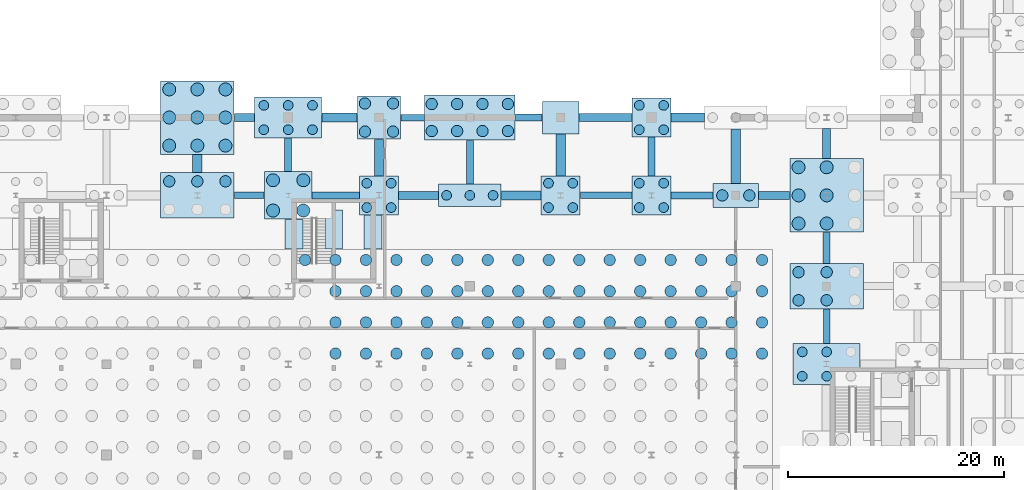
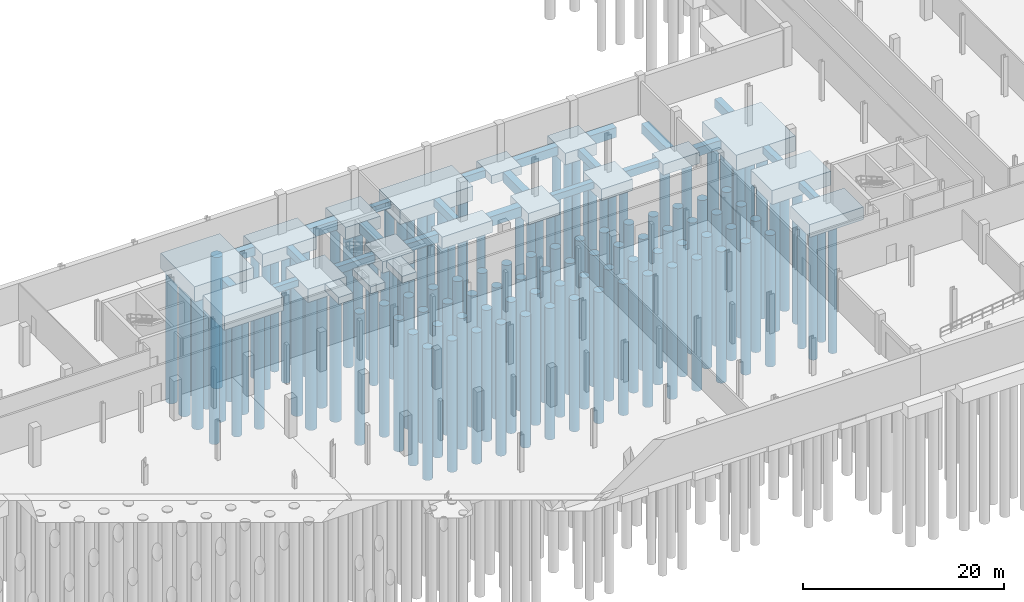
# One storey, part 5 of 32: 130 piles, 42 footings.
"""IFC4 building model written with IfcOpenShell, lengths in metres."""

from ifc_helpers import new_model, si_unit, direction, frame, origin_with_axes, origin_2d_with_axis, place, context, subcontext, project, spatial, rectangle, circle, extrude, material, material_profile, profile_set, type_object, element, save


model = new_model("IFC4")

# Units and contexts
model_context = context("Model", 3, precision=1e-05, world=origin_with_axes(), true_north=direction((0.0, 1.0)))
body_context = subcontext(model_context, "Body", "Model", "MODEL_VIEW")
ifc_project = project(units=[si_unit("LENGTHUNIT", "METRE"), si_unit("AREAUNIT", "SQUARE_METRE"), si_unit("VOLUMEUNIT", "CUBIC_METRE"), si_unit("PLANEANGLEUNIT", "RADIAN"), si_unit("MASSUNIT", "GRAM", prefix="KILO"), si_unit("THERMODYNAMICTEMPERATUREUNIT", "KELVIN")], contexts=[model_context])

# Site, building, storey
site_placement = place(None, origin_with_axes())
site = spatial("IfcSite", under=ifc_project, at=site_placement, CompositionType="ELEMENT")
building_placement = place(site_placement, origin_with_axes())
building = spatial("IfcBuilding", under=site, at=building_placement, Name="Montbau Bow Law Courts", CompositionType="ELEMENT")
storey_placement = place(building_placement, frame((0.0, 0.0, -4.8), z_axis=(0.0, 0.0, 1.0), x_axis=(1.0, 0.0, 0.0)))
storey = spatial("IfcBuildingStorey", under=building, at=storey_placement, Name="B1", CompositionType="ELEMENT", Elevation=-4.8)

# Footings
ifc_material_1 = material(Name="Concrete CSA A23.1 f'c 35 MPa", Category="concrete")
footing_type_1 = type_object("IfcFootingType", Name="FB-01", PredefinedType="FOOTING_BEAM", material=ifc_material_1)
footing_1_placement = place(None, frame((84.8, 54.6, -6.25), z_axis=(0.0, 0.0, 1.0), x_axis=(1.0, 0.0, 0.0)))
element("IfcFooting", 1, at=footing_1_placement, inside=storey, type_object=footing_type_1, Name="FB-049:fbm2_0067", PredefinedType="FOOTING_BEAM", context=body_context, shape_type="SweptSolid", body=[
    extrude(rectangle(XDim=4.37, YDim=0.65, at=origin_2d_with_axis()), origin_with_axes(), (0.0, 0.0, 1.0), 0.9),
])
footing_2_placement = place(None, frame((117.75, 54.6, -6.25), z_axis=(0.0, 0.0, 1.0), x_axis=(1.0, 0.0, 0.0)))
element("IfcFooting", 2, at=footing_2_placement, inside=storey, type_object=footing_type_1, Name="FB-053:fbm2_0071", PredefinedType="FOOTING_BEAM", context=body_context, shape_type="SweptSolid", body=[
    extrude(rectangle(XDim=3.87, YDim=0.65, at=origin_2d_with_axis()), origin_with_axes(), (0.0, 0.0, 1.0), 0.9),
])
footing_3_placement = place(None, frame((102.65, 61.8, -6.25), z_axis=(0.0, 0.0, 1.0), x_axis=(1.0, 0.0, 0.0)))
element("IfcFooting", 3, at=footing_3_placement, inside=storey, type_object=footing_type_1, Name="FB-069:fbm2_0087", PredefinedType="FOOTING_BEAM", context=body_context, shape_type="SweptSolid", body=[
    extrude(rectangle(XDim=2.47, YDim=0.65, at=origin_2d_with_axis()), origin_with_axes(), (0.0, 0.0, 1.0), 0.9),
])
footing_4_placement = place(None, frame((80.4, 58.35, -6.25), z_axis=(0.0, 0.0, 1.0), x_axis=(0.0, 1.0, 0.0)))
element("IfcFooting", 4, at=footing_4_placement, inside=storey, type_object=footing_type_1, Name="FB-121:fbm2_0139", PredefinedType="FOOTING_BEAM", context=body_context, shape_type="SweptSolid", body=[
    extrude(rectangle(XDim=3.07, YDim=0.65, at=origin_2d_with_axis()), origin_with_axes(), (0.0, 0.0, 1.0), 0.9),
])
footing_5_placement = place(None, frame((97.2, 57.675, -6.25), z_axis=(0.0, 0.0, 1.0), x_axis=(0.0, 1.0, 0.0)))
element("IfcFooting", 5, at=footing_5_placement, inside=storey, type_object=footing_type_1, Name="FB-125:fbm2_0143", PredefinedType="FOOTING_BEAM", context=body_context, shape_type="SweptSolid", body=[
    extrude(rectangle(XDim=4.02, YDim=0.65, at=origin_2d_with_axis()), origin_with_axes(), (0.0, 0.0, 1.0), 0.9),
])
footing_6_placement = place(None, frame((114.0, 58.2, -6.25), z_axis=(0.0, 0.0, 1.0), x_axis=(0.0, 1.0, 0.0)))
element("IfcFooting", 6, at=footing_6_placement, inside=storey, type_object=footing_type_1, Name="FB-129:fbm2_0147", PredefinedType="FOOTING_BEAM", context=body_context, shape_type="SweptSolid", body=[
    extrude(rectangle(XDim=3.57, YDim=0.65, at=origin_2d_with_axis()), origin_with_axes(), (0.0, 0.0, 1.0), 0.9),
])
footing_7_placement = place(None, frame((130.2, 49.75, -6.25), z_axis=(0.0, 0.0, 1.0), x_axis=(0.0, 1.0, 0.0)))
element("IfcFooting", 7, at=footing_7_placement, inside=storey, type_object=footing_type_1, Name="FB-137:fbm2_0155", PredefinedType="FOOTING_BEAM", context=body_context, shape_type="SweptSolid", body=[
    extrude(rectangle(XDim=2.87, YDim=0.65, at=origin_2d_with_axis()), origin_with_axes(), (0.0, 0.0, 1.0), 0.9),
])
footing_type_2 = type_object("IfcFootingType", Name="FB-02", PredefinedType="FOOTING_BEAM", material=ifc_material_1)
footing_8_placement = place(None, frame((92.45, 54.6, -6.4), z_axis=(0.0, 0.0, 1.0), x_axis=(1.0, 0.0, 0.0)))
element("IfcFooting", 8, at=footing_8_placement, inside=storey, type_object=footing_type_2, Name="FB-050:fbm2_0068", PredefinedType="FOOTING_BEAM", context=body_context, shape_type="SweptSolid", body=[
    extrude(rectangle(XDim=3.67, YDim=0.75, at=origin_2d_with_axis()), origin_with_axes(), (0.0, 0.0, 1.0), 1.05),
])
footing_9_placement = place(None, frame((125.35, 54.6, -6.4), z_axis=(0.0, 0.0, 1.0), x_axis=(1.0, 0.0, 0.0)))
element("IfcFooting", 9, at=footing_9_placement, inside=storey, type_object=footing_type_2, Name="FB-054:fbm2_0072", PredefinedType="FOOTING_BEAM", context=body_context, shape_type="SweptSolid", body=[
    extrude(rectangle(XDim=2.87, YDim=0.75, at=origin_2d_with_axis()), origin_with_axes(), (0.0, 0.0, 1.0), 1.05),
])
footing_10_placement = place(None, frame((76.35, 61.8, -6.4), z_axis=(0.0, 0.0, 1.0), x_axis=(1.0, 0.0, 0.0)))
element("IfcFooting", 10, at=footing_10_placement, inside=storey, type_object=footing_type_2, Name="FB-066:fbm2_0084", PredefinedType="FOOTING_BEAM", context=body_context, shape_type="SweptSolid", body=[
    extrude(rectangle(XDim=1.87, YDim=0.75, at=origin_2d_with_axis()), origin_with_axes(), (0.0, 0.0, 1.0), 1.05),
])
footing_11_placement = place(None, frame((109.75, 61.8, -6.4), z_axis=(0.0, 0.0, 1.0), x_axis=(1.0, 0.0, 0.0)))
element("IfcFooting", 11, at=footing_11_placement, inside=storey, type_object=footing_type_2, Name="FB-070:fbm2_0088", PredefinedType="FOOTING_BEAM", context=body_context, shape_type="SweptSolid", body=[
    extrude(rectangle(XDim=4.87, YDim=0.75, at=origin_2d_with_axis()), origin_with_axes(), (0.0, 0.0, 1.0), 1.05),
])
footing_12_placement = place(None, frame((130.2, 59.4, -6.4), z_axis=(0.0, 0.0, 1.0), x_axis=(0.0, 1.0, 0.0)))
element("IfcFooting", 12, at=footing_12_placement, inside=storey, type_object=footing_type_2, Name="FB-138:fbm2_0156", PredefinedType="FOOTING_BEAM", context=body_context, shape_type="SweptSolid", body=[
    extrude(rectangle(XDim=2.77, YDim=0.75, at=origin_2d_with_axis()), origin_with_axes(), (0.0, 0.0, 1.0), 1.05),
])
footing_type_3 = type_object("IfcFootingType", Name="FB-03", PredefinedType="FOOTING_BEAM", material=ifc_material_1)
footing_13_placement = place(None, frame((101.95, 54.6, -6.55), z_axis=(0.0, 0.0, 1.0), x_axis=(1.0, 0.0, 0.0)))
element("IfcFooting", 13, at=footing_13_placement, inside=storey, type_object=footing_type_3, Name="FB-051:fbm2_0069", PredefinedType="FOOTING_BEAM", context=body_context, shape_type="SweptSolid", body=[
    extrude(rectangle(XDim=3.67, YDim=0.85, at=origin_2d_with_axis()), origin_with_axes(), (0.0, 0.0, 1.0), 1.2),
])
footing_14_placement = place(None, frame((85.15, 61.8, -6.55), z_axis=(0.0, 0.0, 1.0), x_axis=(1.0, 0.0, 0.0)))
element("IfcFooting", 14, at=footing_14_placement, inside=storey, type_object=footing_type_3, Name="FB-067:fbm2_0085", PredefinedType="FOOTING_BEAM", context=body_context, shape_type="SweptSolid", body=[
    extrude(rectangle(XDim=3.27, YDim=0.85, at=origin_2d_with_axis()), origin_with_axes(), (0.0, 0.0, 1.0), 1.2),
])
footing_15_placement = place(None, frame((117.35, 61.8, -6.55), z_axis=(0.0, 0.0, 1.0), x_axis=(1.0, 0.0, 0.0)))
element("IfcFooting", 15, at=footing_15_placement, inside=storey, type_object=footing_type_3, Name="FB-071:fbm2_0089", PredefinedType="FOOTING_BEAM", context=body_context, shape_type="SweptSolid", body=[
    extrude(rectangle(XDim=3.07, YDim=0.85, at=origin_2d_with_axis()), origin_with_axes(), (0.0, 0.0, 1.0), 1.2),
])
footing_16_placement = place(None, frame((72.0, 57.55, -6.55), z_axis=(0.0, 0.0, 1.0), x_axis=(0.0, 1.0, 0.0)))
element("IfcFooting", 16, at=footing_16_placement, inside=storey, type_object=footing_type_3, Name="FB-119:fbm2_0137", PredefinedType="FOOTING_BEAM", context=body_context, shape_type="SweptSolid", body=[
    extrude(rectangle(XDim=1.67, YDim=0.85, at=origin_2d_with_axis()), origin_with_axes(), (0.0, 0.0, 1.0), 1.2),
])
footing_17_placement = place(None, frame((88.8, 58.1, -6.55), z_axis=(0.0, 0.0, 1.0), x_axis=(0.0, 1.0, 0.0)))
element("IfcFooting", 17, at=footing_17_placement, inside=storey, type_object=footing_type_3, Name="FB-123:fbm2_0141", PredefinedType="FOOTING_BEAM", context=body_context, shape_type="SweptSolid", body=[
    extrude(rectangle(XDim=3.37, YDim=0.85, at=origin_2d_with_axis()), origin_with_axes(), (0.0, 0.0, 1.0), 1.2),
])
footing_18_placement = place(None, frame((105.6, 58.35, -6.55), z_axis=(0.0, 0.0, 1.0), x_axis=(0.0, 1.0, 0.0)))
element("IfcFooting", 18, at=footing_18_placement, inside=storey, type_object=footing_type_3, Name="FB-127:fbm2_0145", PredefinedType="FOOTING_BEAM", context=body_context, shape_type="SweptSolid", body=[
    extrude(rectangle(XDim=3.87, YDim=0.85, at=origin_2d_with_axis()), origin_with_axes(), (0.0, 0.0, 1.0), 1.2),
])
footing_19_placement = place(None, frame((121.8, 58.225, -6.55), z_axis=(0.0, 0.0, 1.0), x_axis=(0.0, 1.0, 0.0)))
element("IfcFooting", 19, at=footing_19_placement, inside=storey, type_object=footing_type_3, Name="FB-131:fbm2_0149", PredefinedType="FOOTING_BEAM", context=body_context, shape_type="SweptSolid", body=[
    extrude(rectangle(XDim=5.02, YDim=0.85, at=origin_2d_with_axis()), origin_with_axes(), (0.0, 0.0, 1.0), 1.2),
])
footing_type_4 = type_object("IfcFootingType", Name="FB-04", PredefinedType="FOOTING_BEAM", material=ifc_material_1)
footing_20_placement = place(None, frame((76.8, 54.6, -6.15), z_axis=(0.0, 0.0, 1.0), x_axis=(1.0, 0.0, 0.0)))
element("IfcFooting", 20, at=footing_20_placement, inside=storey, type_object=footing_type_4, Name="FB-048:fbm2_0066", PredefinedType="FOOTING_BEAM", context=body_context, shape_type="SweptSolid", body=[
    extrude(rectangle(XDim=2.77, YDim=0.6, at=origin_2d_with_axis()), origin_with_axes(), (0.0, 0.0, 1.0), 0.8),
])
footing_21_placement = place(None, frame((109.8, 54.6, -6.15), z_axis=(0.0, 0.0, 1.0), x_axis=(1.0, 0.0, 0.0)))
element("IfcFooting", 21, at=footing_21_placement, inside=storey, type_object=footing_type_4, Name="FB-052:fbm2_0070", PredefinedType="FOOTING_BEAM", context=body_context, shape_type="SweptSolid", body=[
    extrude(rectangle(XDim=4.77, YDim=0.6, at=origin_2d_with_axis()), origin_with_axes(), (0.0, 0.0, 1.0), 0.8),
])
footing_22_placement = place(None, frame((91.9, 61.8, -6.15), z_axis=(0.0, 0.0, 1.0), x_axis=(1.0, 0.0, 0.0)))
element("IfcFooting", 22, at=footing_22_placement, inside=storey, type_object=footing_type_4, Name="FB-068:fbm2_0086", PredefinedType="FOOTING_BEAM", context=body_context, shape_type="SweptSolid", body=[
    extrude(rectangle(XDim=2.17, YDim=0.6, at=origin_2d_with_axis()), origin_with_axes(), (0.0, 0.0, 1.0), 0.8),
])
footing_23_placement = place(None, frame((130.2, 42.5, -6.15), z_axis=(0.0, 0.0, 1.0), x_axis=(0.0, 1.0, 0.0)))
element("IfcFooting", 23, at=footing_23_placement, inside=storey, type_object=footing_type_4, Name="FB-136:fbm2_0154", PredefinedType="FOOTING_BEAM", context=body_context, shape_type="SweptSolid", body=[
    extrude(rectangle(XDim=3.17, YDim=0.6, at=origin_2d_with_axis()), origin_with_axes(), (0.0, 0.0, 1.0), 0.8),
])
footing_type_5 = type_object("IfcFootingType", Name="FC-01", PredefinedType="PILE_CAP", material=ifc_material_1)
for number, where, z_axis, x_axis, name in (
    (24, (88.8, 54.6, -6.75), (0.0, 0.0, 1.0), (1.0, 0.0, 0.0), "FCA-039:ftg2_0039"),
    (25, (114.0, 61.8, -6.75), (0.0, 0.0, 1.0), (1.0, 0.0, 0.0), "FCA-043:ftg2_0043"),
    (26, (105.6, 54.6, -6.75), (0.0, 0.0, 1.0), (1.0, 0.0, 0.0), "FC-PLZ-15:ftg2_0138"),
    (27, (114.0, 54.6, -6.75), (0.0, 0.0, 1.0), (1.0, 0.0, 0.0), "FC-PLZ-16:ftg2_0139"),
):
    element("IfcFooting", number, at=place(None, frame(where, z_axis=z_axis, x_axis=x_axis)), inside=storey, type_object=footing_type_5, Name=name, PredefinedType="PILE_CAP", context=body_context, shape_type="SweptSolid", body=[
        extrude(rectangle(XDim=3.6, YDim=3.6, at=origin_2d_with_axis()), origin_with_axes(), (0.0, 0.0, 1.0), 1.4),
    ])
footing_type_6 = type_object("IfcFootingType", Name="FC-02", PredefinedType="PILE_CAP", material=ifc_material_1)
footing_24_placement = place(None, frame((88.8, 61.8, -6.85), z_axis=(0.0, 0.0, 1.0), x_axis=(1.0, 0.0, 0.0)))
element("IfcFooting", 28, at=footing_24_placement, inside=storey, type_object=footing_type_6, Name="FCA-040:ftg2_0040", PredefinedType="PILE_CAP", context=body_context, shape_type="SweptSolid", body=[
    extrude(rectangle(XDim=4.0, YDim=4.0, at=origin_2d_with_axis()), origin_with_axes(), (0.0, 0.0, 1.0), 1.5),
])
footing_type_7 = type_object("IfcFootingType", Name="FC-03", PredefinedType="PILE_CAP", material=ifc_material_1)
footing_25_placement = place(None, frame((80.4, 54.6, -7.0), z_axis=(0.0, 0.0, 1.0), x_axis=(1.0, 0.0, 0.0)))
element("IfcFooting", 29, at=footing_25_placement, inside=storey, type_object=footing_type_7, Name="FCA-037:ftg2_0037", PredefinedType="PILE_CAP", context=body_context, shape_type="SweptSolid", body=[
    extrude(rectangle(XDim=4.4, YDim=4.4, at=origin_2d_with_axis()), origin_with_axes(), (0.0, 0.0, 1.0), 1.65),
])
footing_type_8 = type_object("IfcFootingType", Name="FC-04", PredefinedType="PILE_CAP", material=ifc_material_1)
for number, where, z_axis, x_axis, name in (
    (30, (80.4, 61.8, -6.9), (0.0, 0.0, 1.0), (1.0, 0.0, 0.0), "FCA-038:ftg2_0038"),
    (31, (130.2, 39.0, -6.9), (0.0, 0.0, 1.0), (1.0, 0.0, 0.0), "FCA-052:ftg2_0052"),
):
    element("IfcFooting", number, at=place(None, frame(where, z_axis=z_axis, x_axis=x_axis)), inside=storey, type_object=footing_type_8, Name=name, PredefinedType="PILE_CAP", context=body_context, shape_type="SweptSolid", body=[
        extrude(rectangle(XDim=6.2, YDim=3.8, at=origin_2d_with_axis()), origin_with_axes(), (0.0, 0.0, 1.0), 1.55),
    ])
footing_type_9 = type_object("IfcFootingType", Name="FC-05", PredefinedType="PILE_CAP", material=ifc_material_1)
for number, where, z_axis, x_axis, name in (
    (32, (72.0, 54.6, -7.05), (0.0, 0.0, 1.0), (1.0, 0.0, 0.0), "FCA-035:ftg2_0035"),
    (33, (130.2, 46.2, -7.05), (0.0, 0.0, 1.0), (1.0, 0.0, 0.0), "FCA-053:ftg2_0053"),
):
    element("IfcFooting", number, at=place(None, frame(where, z_axis=z_axis, x_axis=x_axis)), inside=storey, type_object=footing_type_9, Name=name, PredefinedType="PILE_CAP", context=body_context, shape_type="SweptSolid", body=[
        extrude(rectangle(XDim=6.8, YDim=4.2, at=origin_2d_with_axis()), origin_with_axes(), (0.0, 0.0, 1.0), 1.7),
    ])
footing_type_10 = type_object("IfcFootingType", Name="FC-06", PredefinedType="PILE_CAP", material=ifc_material_1)
for number, where, z_axis, x_axis, name in (
    (34, (72.0, 61.8, -7.2), (0.0, 0.0, 1.0), (1.0, 0.0, 0.0), "FCA-036:ftg2_0036"),
    (35, (130.2, 54.6, -7.2), (0.0, 0.0, 1.0), (1.0, 0.0, 0.0), "FCA-054:ftg2_0054"),
):
    element("IfcFooting", number, at=place(None, frame(where, z_axis=z_axis, x_axis=x_axis)), inside=storey, type_object=footing_type_10, Name=name, PredefinedType="PILE_CAP", context=body_context, shape_type="SweptSolid", body=[
        extrude(rectangle(XDim=6.8, YDim=6.8, at=origin_2d_with_axis()), origin_with_axes(), (0.0, 0.0, 1.0), 1.85),
    ])
footing_type_11 = type_object("IfcFootingType", Name="FC-08", PredefinedType="PILE_CAP", material=ifc_material_1)
footing_26_placement = place(None, frame((121.8, 54.6, -6.7), z_axis=(0.0, 0.0, 1.0), x_axis=(1.0, 0.0, 0.0)))
element("IfcFooting", 36, at=footing_26_placement, inside=storey, type_object=footing_type_11, Name="FCA-046:ftg2_0046", PredefinedType="PILE_CAP", context=body_context, shape_type="SweptSolid", body=[
    extrude(rectangle(XDim=4.2, YDim=2.2, at=origin_2d_with_axis()), origin_with_axes(), (0.0, 0.0, 1.0), 1.35),
])
footing_type_12 = type_object("IfcFootingType", Name="FC-09", PredefinedType="PILE_CAP", material=ifc_material_1)
footing_27_placement = place(None, frame((97.2, 54.6, -6.8), z_axis=(0.0, 0.0, 1.0), x_axis=(1.0, 0.0, 0.0)))
element("IfcFooting", 37, at=footing_27_placement, inside=storey, type_object=footing_type_12, Name="FCA-041:ftg2_0041", PredefinedType="PILE_CAP", context=body_context, shape_type="SweptSolid", body=[
    extrude(rectangle(XDim=5.8, YDim=2.1, at=origin_2d_with_axis()), origin_with_axes(), (0.0, 0.0, 1.0), 1.45),
])
footing_type_13 = type_object("IfcFootingType", Name="FC-10", PredefinedType="PILE_CAP", material=ifc_material_1)
footing_28_placement = place(None, frame((97.2, 61.8, -7.1), z_axis=(0.0, 0.0, 1.0), x_axis=(1.0, 0.0, 0.0)))
element("IfcFooting", 38, at=footing_28_placement, inside=storey, type_object=footing_type_13, Name="FCA-042:ftg2_0042", PredefinedType="PILE_CAP", context=body_context, shape_type="SweptSolid", body=[
    extrude(rectangle(XDim=8.4, YDim=4.2, at=origin_2d_with_axis()), origin_with_axes(), (0.0, 0.0, 1.0), 1.75),
])
footing_type_14 = type_object("IfcFootingType", Name="FP-07", PredefinedType="PAD_FOOTING", material=ifc_material_1)
footing_29_placement = place(None, frame((105.6, 61.8, -6.35), z_axis=(0.0, 0.0, 1.0), x_axis=(1.0, 0.0, 0.0)))
element("IfcFooting", 39, at=footing_29_placement, inside=storey, type_object=footing_type_14, Name="FP-07:ftg2_0122", PredefinedType="PAD_FOOTING", context=body_context, shape_type="SweptSolid", body=[
    extrude(rectangle(XDim=3.4, YDim=3.0, at=origin_2d_with_axis()), origin_with_axes(), (0.0, 0.0, 1.0), 1.0),
])

# Piles
ifc_material_2 = material(Name="Concrete CSA A23.1 f'c 40 MPa", Category="concrete")
ifc_material_profile_1 = material_profile(ifc_material_2, circle(Radius=0.45, at=origin_2d_with_axis()), Name="BP900", Category="Main", Priority=0)
ifc_profile_set_1 = profile_set([ifc_material_profile_1], Name="Concrete CSA A23.1 f'c 40 MPa")
pile_type_1 = type_object("IfcPileType", Name="P-0900", PredefinedType="BORED", material=ifc_profile_set_1)
for number, where, z_axis, x_axis, name in (
    (40, (78.15, 60.675, -22.3), (0.0, 0.0, 1.0), (1.0, 0.0, 0.0), "FCA-038-P01:pil_f2_0146"),
    (41, (78.15, 62.925, -22.3), (0.0, 0.0, 1.0), (1.0, 0.0, 0.0), "FCA-038-P02:pil_f2_0147"),
    (42, (80.4, 60.675, -22.3), (0.0, 0.0, 1.0), (1.0, 0.0, 0.0), "FCA-038-P03:pil_f2_0148"),
    (43, (80.4, 62.925, -22.3), (0.0, 0.0, 1.0), (1.0, 0.0, 0.0), "FCA-038-P04:pil_f2_0149"),
    (44, (82.65, 60.675, -22.3), (0.0, 0.0, 1.0), (1.0, 0.0, 0.0), "FCA-038-P05:pil_f2_0150"),
    (45, (82.65, 62.925, -22.3), (0.0, 0.0, 1.0), (1.0, 0.0, 0.0), "FCA-038-P06:pil_f2_0151"),
    (46, (87.675, 53.475, -22.15), (0.0, 0.0, 1.0), (1.0, 0.0, 0.0), "FCA-039-P01:pil_f2_0152"),
    (47, (87.675, 55.725, -22.15), (0.0, 0.0, 1.0), (1.0, 0.0, 0.0), "FCA-039-P02:pil_f2_0153"),
    (48, (89.925, 53.475, -22.15), (0.0, 0.0, 1.0), (1.0, 0.0, 0.0), "FCA-039-P03:pil_f2_0154"),
    (49, (89.925, 55.725, -22.15), (0.0, 0.0, 1.0), (1.0, 0.0, 0.0), "FCA-039-P04:pil_f2_0155"),
    (50, (95.05, 54.6, -22.2), (0.0, 0.0, 1.0), (1.0, 0.0, 0.0), "FCA-041-P01:pil_f2_0160"),
    (51, (97.2, 54.6, -22.2), (0.0, 0.0, 1.0), (1.0, 0.0, 0.0), "FCA-041-P02:pil_f2_0161"),
    (52, (99.35, 54.6, -22.2), (0.0, 0.0, 1.0), (1.0, 0.0, 0.0), "FCA-041-P03:pil_f2_0162"),
    (53, (112.875, 60.675, -22.15), (0.0, 0.0, 1.0), (1.0, 0.0, 0.0), "FCA-043-P01:pil_f2_0171"),
    (54, (112.875, 62.925, -22.15), (0.0, 0.0, 1.0), (1.0, 0.0, 0.0), "FCA-043-P02:pil_f2_0172"),
    (55, (115.125, 60.675, -22.15), (0.0, 0.0, 1.0), (1.0, 0.0, 0.0), "FCA-043-P03:pil_f2_0173"),
    (56, (115.125, 62.925, -22.15), (0.0, 0.0, 1.0), (1.0, 0.0, 0.0), "FCA-043-P04:pil_f2_0174"),
    (57, (127.95, 37.875, -22.3), (0.0, 0.0, 1.0), (1.0, 0.0, 0.0), "FCA-052-P01:pil_f2_0208"),
    (58, (127.95, 40.125, -22.3), (0.0, 0.0, 1.0), (1.0, 0.0, 0.0), "FCA-052-P02:pil_f2_0209"),
    (59, (130.2, 37.875, -22.3), (0.0, 0.0, 1.0), (1.0, 0.0, 0.0), "FCA-052-P03:pil_f2_0210"),
    (60, (130.2, 40.125, -22.3), (0.0, 0.0, 1.0), (1.0, 0.0, 0.0), "FCA-052-P04:pil_f2_0211"),
    (61, (104.475, 53.475, -22.15), (0.0, 0.0, 1.0), (1.0, 0.0, 0.0), "FC-PLZ-15-P01:pil_f2_0511"),
    (62, (104.475, 55.725, -22.15), (0.0, 0.0, 1.0), (1.0, 0.0, 0.0), "FC-PLZ-15-P02:pil_f2_0512"),
    (63, (106.725, 53.475, -22.15), (0.0, 0.0, 1.0), (1.0, 0.0, 0.0), "FC-PLZ-15-P03:pil_f2_0513"),
    (64, (106.725, 55.725, -22.15), (0.0, 0.0, 1.0), (1.0, 0.0, 0.0), "FC-PLZ-15-P04:pil_f2_0514"),
    (65, (112.875, 53.475, -22.15), (0.0, 0.0, 1.0), (1.0, 0.0, 0.0), "FC-PLZ-16-P01:pil_f2_0515"),
    (66, (112.875, 55.725, -22.15), (0.0, 0.0, 1.0), (1.0, 0.0, 0.0), "FC-PLZ-16-P02:pil_f2_0516"),
    (67, (115.125, 53.475, -22.15), (0.0, 0.0, 1.0), (1.0, 0.0, 0.0), "FC-PLZ-16-P03:pil_f2_0517"),
    (68, (115.125, 55.725, -22.15), (0.0, 0.0, 1.0), (1.0, 0.0, 0.0), "FC-PLZ-16-P04:pil_f2_0518"),
):
    element("IfcPile", number, at=place(None, frame(where, z_axis=z_axis, x_axis=x_axis)), inside=storey, type_object=pile_type_1, Name=name, ConstructionType="CAST_IN_PLACE", PredefinedType="BORED", context=body_context, shape_type="SweptSolid", body=[
        extrude(circle(Radius=0.45, at=origin_2d_with_axis()), origin_with_axes(), (0.0, 0.0, 1.0), 15.5),
    ])
ifc_material_profile_2 = material_profile(ifc_material_2, circle(Radius=0.525, at=origin_2d_with_axis()), Name="BP1050", Category="Main", Priority=0)
ifc_profile_set_2 = profile_set([ifc_material_profile_2], Name="Concrete CSA A23.1 f'c 40 MPa")
pile_type_2 = type_object("IfcPileType", Name="P-1050", PredefinedType="BORED", material=ifc_profile_set_2)
for number, where, z_axis, x_axis, name in (
    (69, (81.959, 48.625, -23.05), (0.0, 0.0, 1.0), (1.0, 0.0, 0.0), "FCA-028-P187:pil_e2_0225"),
    (70, (84.777, 39.97, -23.05), (0.0, 0.0, 1.0), (1.0, 0.0, 0.0), "FCA-028-P195:pil_e2_0233"),
    (71, (84.777, 42.855, -23.05), (0.0, 0.0, 1.0), (1.0, 0.0, 0.0), "FCA-028-P196:pil_e2_0234"),
    (72, (84.777, 45.74, -23.05), (0.0, 0.0, 1.0), (1.0, 0.0, 0.0), "FCA-028-P197:pil_e2_0235"),
    (73, (84.777, 48.625, -23.05), (0.0, 0.0, 1.0), (1.0, 0.0, 0.0), "FCA-028-P198:pil_e2_0236"),
    (74, (87.594, 39.97, -23.05), (0.0, 0.0, 1.0), (1.0, 0.0, 0.0), "FCA-028-P206:pil_e2_0244"),
    (75, (87.594, 42.855, -23.05), (0.0, 0.0, 1.0), (1.0, 0.0, 0.0), "FCA-028-P207:pil_e2_0245"),
    (76, (87.594, 45.74, -23.05), (0.0, 0.0, 1.0), (1.0, 0.0, 0.0), "FCA-028-P208:pil_e2_0246"),
    (77, (87.594, 48.625, -23.05), (0.0, 0.0, 1.0), (1.0, 0.0, 0.0), "FCA-028-P209:pil_e2_0247"),
    (78, (90.412, 39.97, -23.05), (0.0, 0.0, 1.0), (1.0, 0.0, 0.0), "FCA-028-P217:pil_e2_0255"),
    (79, (90.412, 42.855, -23.05), (0.0, 0.0, 1.0), (1.0, 0.0, 0.0), "FCA-028-P218:pil_e2_0256"),
    (80, (90.412, 45.74, -23.05), (0.0, 0.0, 1.0), (1.0, 0.0, 0.0), "FCA-028-P219:pil_e2_0257"),
    (81, (90.412, 48.625, -23.05), (0.0, 0.0, 1.0), (1.0, 0.0, 0.0), "FCA-028-P220:pil_e2_0258"),
    (82, (93.23, 39.97, -23.05), (0.0, 0.0, 1.0), (1.0, 0.0, 0.0), "FCA-028-P228:pil_e2_0266"),
    (83, (93.23, 42.855, -23.05), (0.0, 0.0, 1.0), (1.0, 0.0, 0.0), "FCA-028-P229:pil_e2_0267"),
    (84, (93.23, 45.74, -23.05), (0.0, 0.0, 1.0), (1.0, 0.0, 0.0), "FCA-028-P230:pil_e2_0268"),
    (85, (93.23, 48.625, -23.05), (0.0, 0.0, 1.0), (1.0, 0.0, 0.0), "FCA-028-P231:pil_e2_0269"),
    (86, (96.048, 39.97, -23.05), (0.0, 0.0, 1.0), (1.0, 0.0, 0.0), "FCA-028-P239:pil_e2_0277"),
    (87, (96.048, 42.855, -23.05), (0.0, 0.0, 1.0), (1.0, 0.0, 0.0), "FCA-028-P240:pil_e2_0278"),
    (88, (96.048, 45.74, -23.05), (0.0, 0.0, 1.0), (1.0, 0.0, 0.0), "FCA-028-P241:pil_e2_0279"),
    (89, (96.048, 48.625, -23.05), (0.0, 0.0, 1.0), (1.0, 0.0, 0.0), "FCA-028-P242:pil_e2_0280"),
    (90, (98.865, 39.97, -23.05), (0.0, 0.0, 1.0), (1.0, 0.0, 0.0), "FCA-028-P250:pil_e2_0288"),
    (91, (98.865, 42.855, -23.05), (0.0, 0.0, 1.0), (1.0, 0.0, 0.0), "FCA-028-P251:pil_e2_0289"),
    (92, (98.865, 45.74, -23.05), (0.0, 0.0, 1.0), (1.0, 0.0, 0.0), "FCA-028-P252:pil_e2_0290"),
    (93, (98.865, 48.625, -23.05), (0.0, 0.0, 1.0), (1.0, 0.0, 0.0), "FCA-028-P253:pil_e2_0291"),
    (94, (101.683, 39.97, -23.05), (0.0, 0.0, 1.0), (1.0, 0.0, 0.0), "FCA-028-P261:pil_e2_0299"),
    (95, (101.683, 42.855, -23.05), (0.0, 0.0, 1.0), (1.0, 0.0, 0.0), "FCA-028-P262:pil_e2_0300"),
    (96, (101.683, 45.74, -23.05), (0.0, 0.0, 1.0), (1.0, 0.0, 0.0), "FCA-028-P263:pil_e2_0301"),
    (97, (101.683, 48.625, -23.05), (0.0, 0.0, 1.0), (1.0, 0.0, 0.0), "FCA-028-P264:pil_e2_0302"),
    (98, (104.501, 39.97, -23.05), (0.0, 0.0, 1.0), (1.0, 0.0, 0.0), "FCA-028-P272:pil_e2_0310"),
    (99, (104.501, 42.855, -23.05), (0.0, 0.0, 1.0), (1.0, 0.0, 0.0), "FCA-028-P273:pil_e2_0311"),
    (100, (104.501, 45.74, -23.05), (0.0, 0.0, 1.0), (1.0, 0.0, 0.0), "FCA-028-P274:pil_e2_0312"),
    (101, (104.501, 48.625, -23.05), (0.0, 0.0, 1.0), (1.0, 0.0, 0.0), "FCA-028-P275:pil_e2_0313"),
    (102, (107.319, 39.97, -23.05), (0.0, 0.0, 1.0), (1.0, 0.0, 0.0), "FCA-028-P283:pil_e2_0321"),
    (103, (107.319, 42.855, -23.05), (0.0, 0.0, 1.0), (1.0, 0.0, 0.0), "FCA-028-P284:pil_e2_0322"),
    (104, (107.319, 45.74, -23.05), (0.0, 0.0, 1.0), (1.0, 0.0, 0.0), "FCA-028-P285:pil_e2_0323"),
    (105, (107.319, 48.625, -23.05), (0.0, 0.0, 1.0), (1.0, 0.0, 0.0), "FCA-028-P286:pil_e2_0324"),
    (106, (110.136, 39.97, -23.05), (0.0, 0.0, 1.0), (1.0, 0.0, 0.0), "FCA-028-P294:pil_e2_0332"),
    (107, (110.136, 42.855, -23.05), (0.0, 0.0, 1.0), (1.0, 0.0, 0.0), "FCA-028-P295:pil_e2_0333"),
    (108, (110.136, 45.74, -23.05), (0.0, 0.0, 1.0), (1.0, 0.0, 0.0), "FCA-028-P296:pil_e2_0334"),
    (109, (110.136, 48.625, -23.05), (0.0, 0.0, 1.0), (1.0, 0.0, 0.0), "FCA-028-P297:pil_e2_0335"),
    (110, (112.954, 39.97, -23.05), (0.0, 0.0, 1.0), (1.0, 0.0, 0.0), "FCA-028-P305:pil_e2_0343"),
    (111, (112.954, 42.855, -23.05), (0.0, 0.0, 1.0), (1.0, 0.0, 0.0), "FCA-028-P306:pil_e2_0344"),
    (112, (112.954, 45.74, -23.05), (0.0, 0.0, 1.0), (1.0, 0.0, 0.0), "FCA-028-P307:pil_e2_0345"),
    (113, (112.954, 48.625, -23.05), (0.0, 0.0, 1.0), (1.0, 0.0, 0.0), "FCA-028-P308:pil_e2_0346"),
    (114, (115.772, 39.97, -23.05), (0.0, 0.0, 1.0), (1.0, 0.0, 0.0), "FCA-028-P316:pil_e2_0354"),
    (115, (115.772, 42.855, -23.05), (0.0, 0.0, 1.0), (1.0, 0.0, 0.0), "FCA-028-P317:pil_e2_0355"),
    (116, (115.772, 45.74, -23.05), (0.0, 0.0, 1.0), (1.0, 0.0, 0.0), "FCA-028-P318:pil_e2_0356"),
    (117, (115.772, 48.625, -23.05), (0.0, 0.0, 1.0), (1.0, 0.0, 0.0), "FCA-028-P319:pil_e2_0357"),
    (118, (118.59, 39.97, -23.05), (0.0, 0.0, 1.0), (1.0, 0.0, 0.0), "FCA-028-P327:pil_e2_0365"),
    (119, (118.59, 42.855, -23.05), (0.0, 0.0, 1.0), (1.0, 0.0, 0.0), "FCA-028-P328:pil_e2_0366"),
    (120, (118.59, 45.74, -23.05), (0.0, 0.0, 1.0), (1.0, 0.0, 0.0), "FCA-028-P329:pil_e2_0367"),
    (121, (118.59, 48.625, -23.05), (0.0, 0.0, 1.0), (1.0, 0.0, 0.0), "FCA-028-P330:pil_e2_0368"),
    (122, (121.407, 39.97, -23.05), (0.0, 0.0, 1.0), (1.0, 0.0, 0.0), "FCA-028-P338:pil_e2_0376"),
    (123, (121.407, 42.855, -23.05), (0.0, 0.0, 1.0), (1.0, 0.0, 0.0), "FCA-028-P339:pil_e2_0377"),
    (124, (121.407, 45.74, -23.05), (0.0, 0.0, 1.0), (1.0, 0.0, 0.0), "FCA-028-P340:pil_e2_0378"),
    (125, (121.407, 48.625, -23.05), (0.0, 0.0, 1.0), (1.0, 0.0, 0.0), "FCA-028-P341:pil_e2_0379"),
    (126, (124.225, 39.97, -23.05), (0.0, 0.0, 1.0), (1.0, 0.0, 0.0), "FCA-028-P349:pil_e2_0387"),
    (127, (124.225, 42.855, -23.05), (0.0, 0.0, 1.0), (1.0, 0.0, 0.0), "FCA-028-P350:pil_e2_0388"),
    (128, (124.225, 45.74, -23.05), (0.0, 0.0, 1.0), (1.0, 0.0, 0.0), "FCA-028-P351:pil_e2_0389"),
    (129, (124.225, 48.625, -23.05), (0.0, 0.0, 1.0), (1.0, 0.0, 0.0), "FCA-028-P352:pil_e2_0390"),
    (130, (69.4, 55.9, -22.95), (0.0, 0.0, 1.0), (1.0, 0.0, 0.0), "FCA-035-P02:pil_f2_0128"),
    (131, (72.0, 55.9, -22.95), (0.0, 0.0, 1.0), (1.0, 0.0, 0.0), "FCA-035-P04:pil_f2_0130"),
    (132, (74.6, 55.9, -22.95), (0.0, 0.0, 1.0), (1.0, 0.0, 0.0), "FCA-035-P06:pil_f2_0132"),
    (133, (87.5, 60.5, -22.75), (0.0, 0.0, 1.0), (1.0, 0.0, 0.0), "FCA-040-P01:pil_f2_0156"),
    (134, (87.5, 63.1, -22.75), (0.0, 0.0, 1.0), (1.0, 0.0, 0.0), "FCA-040-P02:pil_f2_0157"),
    (135, (90.1, 60.5, -22.75), (0.0, 0.0, 1.0), (1.0, 0.0, 0.0), "FCA-040-P03:pil_f2_0158"),
    (136, (90.1, 63.1, -22.75), (0.0, 0.0, 1.0), (1.0, 0.0, 0.0), "FCA-040-P04:pil_f2_0159"),
    (137, (93.675, 60.55, -23.0), (0.0, 0.0, 1.0), (1.0, 0.0, 0.0), "FCA-042-P01:pil_f2_0163"),
    (138, (93.675, 63.05, -23.0), (0.0, 0.0, 1.0), (1.0, 0.0, 0.0), "FCA-042-P02:pil_f2_0164"),
    (139, (96.025, 60.55, -23.0), (0.0, 0.0, 1.0), (1.0, 0.0, 0.0), "FCA-042-P03:pil_f2_0165"),
    (140, (96.025, 63.05, -23.0), (0.0, 0.0, 1.0), (1.0, 0.0, 0.0), "FCA-042-P04:pil_f2_0166"),
    (141, (98.375, 60.55, -23.0), (0.0, 0.0, 1.0), (1.0, 0.0, 0.0), "FCA-042-P05:pil_f2_0167"),
    (142, (98.375, 63.05, -23.0), (0.0, 0.0, 1.0), (1.0, 0.0, 0.0), "FCA-042-P06:pil_f2_0168"),
    (143, (100.725, 60.55, -23.0), (0.0, 0.0, 1.0), (1.0, 0.0, 0.0), "FCA-042-P07:pil_f2_0169"),
    (144, (100.725, 63.05, -23.0), (0.0, 0.0, 1.0), (1.0, 0.0, 0.0), "FCA-042-P08:pil_f2_0170"),
    (145, (120.55, 54.6, -22.6), (0.0, 0.0, 1.0), (1.0, 0.0, 0.0), "FCA-046-P01:pil_f2_0183"),
    (146, (123.05, 54.6, -22.6), (0.0, 0.0, 1.0), (1.0, 0.0, 0.0), "FCA-046-P02:pil_f2_0184"),
    (147, (127.6, 44.9, -22.95), (0.0, 0.0, 1.0), (1.0, 0.0, 0.0), "FCA-053-P01:pil_f2_0214"),
    (148, (127.6, 47.5, -22.95), (0.0, 0.0, 1.0), (1.0, 0.0, 0.0), "FCA-053-P02:pil_f2_0215"),
    (149, (130.2, 44.9, -22.95), (0.0, 0.0, 1.0), (1.0, 0.0, 0.0), "FCA-053-P03:pil_f2_0216"),
    (150, (130.2, 47.5, -22.95), (0.0, 0.0, 1.0), (1.0, 0.0, 0.0), "FCA-053-P04:pil_f2_0217"),
):
    element("IfcPile", number, at=place(None, frame(where, z_axis=z_axis, x_axis=x_axis)), inside=storey, type_object=pile_type_2, Name=name, ConstructionType="CAST_IN_PLACE", PredefinedType="BORED", context=body_context, shape_type="SweptSolid", body=[
        extrude(circle(Radius=0.525, at=origin_2d_with_axis()), origin_with_axes(), (0.0, 0.0, 1.0), 16.0),
    ])
ifc_material_profile_3 = material_profile(ifc_material_2, circle(Radius=0.6, at=origin_2d_with_axis()), Name="BP1200", Category="Main", Priority=0)
ifc_profile_set_3 = profile_set([ifc_material_profile_3], Name="Concrete CSA A23.1 f'c 40 MPa")
pile_type_3 = type_object("IfcPileType", Name="P-1200", PredefinedType="BORED", material=ifc_profile_set_3)
for number, where, z_axis, x_axis, name in (
    (151, (69.4, 59.2, -23.1), (0.0, 0.0, 1.0), (1.0, 0.0, 0.0), "FCA-036-P01:pil_f2_0133"),
    (152, (69.4, 61.8, -23.1), (0.0, 0.0, 1.0), (1.0, 0.0, 0.0), "FCA-036-P02:pil_f2_0134"),
    (153, (69.4, 64.4, -23.1), (0.0, 0.0, 1.0), (1.0, 0.0, 0.0), "FCA-036-P03:pil_f2_0135"),
    (154, (72.0, 59.2, -23.1), (0.0, 0.0, 1.0), (1.0, 0.0, 0.0), "FCA-036-P04:pil_f2_0136"),
    (155, (72.0, 61.8, -23.1), (0.0, 0.0, 1.0), (1.0, 0.0, 0.0), "FCA-036-P05:pil_f2_0137"),
    (156, (72.0, 64.4, -23.1), (0.0, 0.0, 1.0), (1.0, 0.0, 0.0), "FCA-036-P06:pil_f2_0138"),
    (157, (74.6, 59.2, -23.1), (0.0, 0.0, 1.0), (1.0, 0.0, 0.0), "FCA-036-P07:pil_f2_0139"),
    (158, (74.6, 61.8, -23.1), (0.0, 0.0, 1.0), (1.0, 0.0, 0.0), "FCA-036-P08:pil_f2_0140"),
    (159, (74.6, 64.4, -23.1), (0.0, 0.0, 1.0), (1.0, 0.0, 0.0), "FCA-036-P09:pil_f2_0141"),
    (160, (79.0, 53.2, -22.9), (0.0, 0.0, 1.0), (1.0, 0.0, 0.0), "FCA-037-P01:pil_f2_0142"),
    (161, (79.0, 56.0, -22.9), (0.0, 0.0, 1.0), (1.0, 0.0, 0.0), "FCA-037-P02:pil_f2_0143"),
    (162, (81.8, 53.2, -22.9), (0.0, 0.0, 1.0), (1.0, 0.0, 0.0), "FCA-037-P03:pil_f2_0144"),
    (163, (81.8, 56.0, -22.9), (0.0, 0.0, 1.0), (1.0, 0.0, 0.0), "FCA-037-P04:pil_f2_0145"),
    (164, (127.6, 52.0, -23.1), (0.0, 0.0, 1.0), (1.0, 0.0, 0.0), "FCA-054-P01:pil_f2_0220"),
    (165, (127.6, 54.6, -23.1), (0.0, 0.0, 1.0), (1.0, 0.0, 0.0), "FCA-054-P02:pil_f2_0221"),
    (166, (127.6, 57.2, -23.1), (0.0, 0.0, 1.0), (1.0, 0.0, 0.0), "FCA-054-P03:pil_f2_0222"),
    (167, (130.2, 52.0, -23.1), (0.0, 0.0, 1.0), (1.0, 0.0, 0.0), "FCA-054-P04:pil_f2_0223"),
    (168, (130.2, 54.6, -23.1), (0.0, 0.0, 1.0), (1.0, 0.0, 0.0), "FCA-054-P05:pil_f2_0224"),
    (169, (130.2, 57.2, -23.1), (0.0, 0.0, 1.0), (1.0, 0.0, 0.0), "FCA-054-P06:pil_f2_0225"),
):
    element("IfcPile", number, at=place(None, frame(where, z_axis=z_axis, x_axis=x_axis)), inside=storey, type_object=pile_type_3, Name=name, ConstructionType="CAST_IN_PLACE", PredefinedType="BORED", context=body_context, shape_type="SweptSolid", body=[
        extrude(circle(Radius=0.6, at=origin_2d_with_axis()), origin_with_axes(), (0.0, 0.0, 1.0), 16.0),
    ])

# Footings
footing_type_15 = type_object("IfcFootingType", Name="SF-02", PredefinedType="STRIP_FOOTING", material=ifc_material_1)
footing_30_placement = place(None, frame((80.94, 51.0, -6.2), z_axis=(0.0, 0.0, 1.0), x_axis=(0.0, 1.0, 0.0)))
element("IfcFooting", 170, at=footing_30_placement, inside=storey, type_object=footing_type_15, Name="SF-26:fbm2_0198", PredefinedType="STRIP_FOOTING", context=body_context, shape_type="SweptSolid", body=[
    extrude(rectangle(XDim=2.74, YDim=1.65, at=origin_2d_with_axis()), origin_with_axes(), (0.0, 0.0, 1.0), 0.85),
])
footing_31_placement = place(None, frame((88.26, 51.2, -6.2), z_axis=(0.0, 0.0, 1.0), x_axis=(0.0, 1.0, 0.0)))
element("IfcFooting", 171, at=footing_31_placement, inside=storey, type_object=footing_type_15, Name="SF-27:fbm2_0199", PredefinedType="STRIP_FOOTING", context=body_context, shape_type="SweptSolid", body=[
    extrude(rectangle(XDim=3.14, YDim=1.65, at=origin_2d_with_axis()), origin_with_axes(), (0.0, 0.0, 1.0), 0.85),
])
footing_32_placement = place(None, frame((84.62, 51.45, -6.2), z_axis=(0.0, 0.0, 1.0), x_axis=(0.0, 1.0, 0.0)))
element("IfcFooting", 172, at=footing_32_placement, inside=storey, type_object=footing_type_15, Name="SF-28:fbm2_0200", PredefinedType="STRIP_FOOTING", context=body_context, shape_type="SweptSolid", body=[
    extrude(rectangle(XDim=3.64, YDim=1.65, at=origin_2d_with_axis()), origin_with_axes(), (0.0, 0.0, 1.0), 0.85),
])

save(model, "model.ifc")
